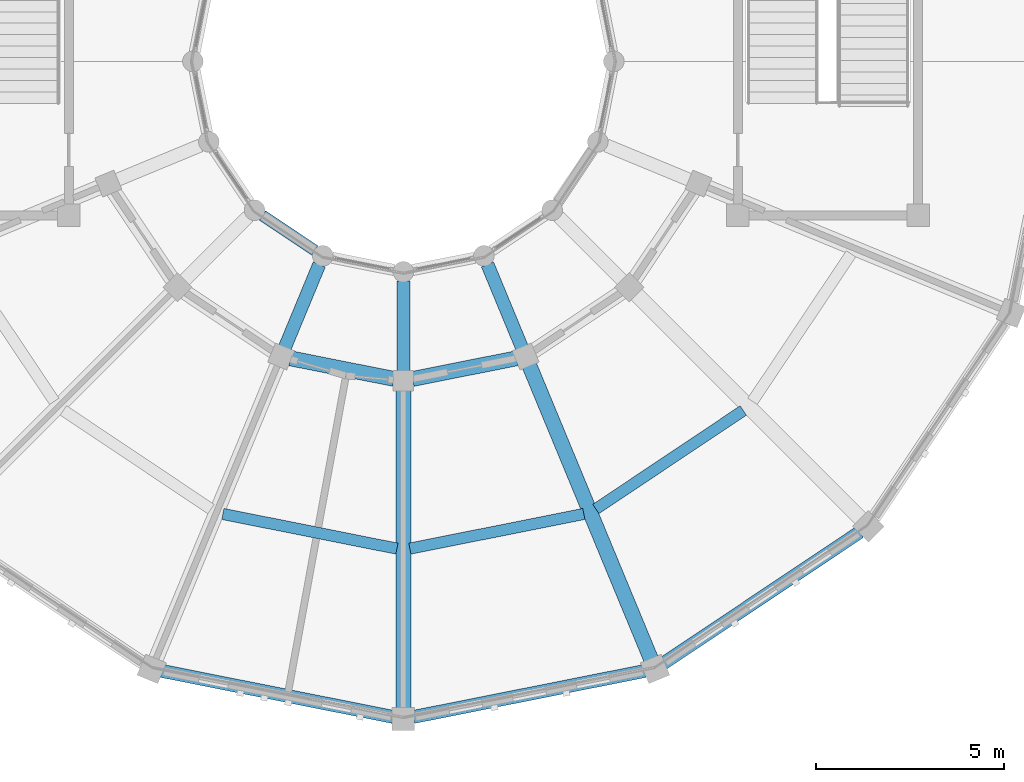
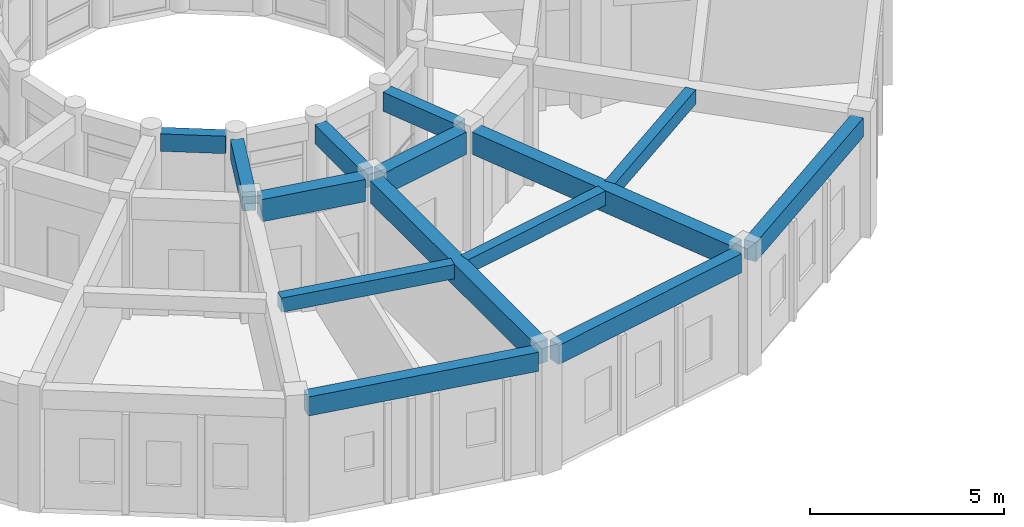
# One storey, part 9 of 112: 14 beams.
"""IFC4 building model written with IfcOpenShell, lengths in metres."""

from ifc_helpers import new_model, si_unit, direction, frame, origin, origin_2d, place, context, subcontext, project, spatial, rectangle, extrude, material, material_profile, profile_set, type_object, element, save


model = new_model("IFC4")

# Units and contexts
model_context = context("Model", 3, precision=1e-05, world=origin(), true_north=direction((0.0, 1.0)))
body_context = subcontext(model_context, "Body", "Model", "MODEL_VIEW")
ifc_project = project(units=[si_unit("LENGTHUNIT", "METRE"), si_unit("AREAUNIT", "SQUARE_METRE"), si_unit("VOLUMEUNIT", "CUBIC_METRE"), si_unit("PLANEANGLEUNIT", "RADIAN"), si_unit("MASSUNIT", "GRAM", prefix="KILO")], contexts=[model_context])

# Site, building, storey
site_placement = place(None, origin())
site = spatial("IfcSite", under=ifc_project, at=site_placement, CompositionType="ELEMENT")
building_placement = place(site_placement, origin())
building = spatial("IfcBuilding", under=site, at=building_placement, Name="Celadon Cloister-Ring School", CompositionType="ELEMENT")
storey_placement = place(building_placement, frame((0.0, 0.0, 8.5)))
storey = spatial("IfcBuildingStorey", under=building, at=storey_placement, Name="L02", CompositionType="ELEMENT", Elevation=8.5)

# Beams
ifc_material_1 = material(Name="Concrete C35/45", Category="concrete")
ifc_material_profile_1 = material_profile(ifc_material_1, rectangle(XDim=0.35009765625, YDim=0.60009765625, at=origin_2d()), Name="RC350X600")
ifc_profile_set_1 = profile_set([ifc_material_profile_1], Name="Concrete C35/45")
beam_type_1 = type_object("IfcBeamType", Name="BT-02", PredefinedType="BEAM", material=ifc_profile_set_1)
beam_1_placement = place(storey_placement, frame((17.04296875, 12.3779296875, 3.47998046875), z_axis=(0.382555476978, 0.923932522988, 0.0), x_axis=(-0.923932522988, 0.382555476978, 0.0)))
element("IfcBeam", 1, at=beam_1_placement, inside=storey, type_object=beam_type_1, Name="Beam 1013", PredefinedType="BEAM", context=body_context, shape_type="SweptSolid", body=[
    extrude(rectangle(XDim=0.35009765625, YDim=0.60009765625, at=origin_2d()), origin(), (0.0, 0.0, 1.0), 2.399658203125),
])
beam_2_placement = place(storey_placement, frame((20.199951171875, 11.75, 3.47998046875), z_axis=(0.0, 1.0, 0.0), x_axis=(-1.0, 0.0, 0.0)))
element("IfcBeam", 2, at=beam_2_placement, inside=storey, type_object=beam_type_1, Name="Beam 1015", PredefinedType="BEAM", context=body_context, shape_type="SweptSolid", body=[
    extrude(rectangle(XDim=0.35009765625, YDim=0.60009765625, at=origin_2d()), origin(), (0.0, 0.0, 1.0), 2.39990234375),
])
beam_3_placement = place(storey_placement, frame((23.35693359375, 12.3779296875, 3.47998046875), z_axis=(-0.382555476978, 0.923932522988, 0.0), x_axis=(-0.923932522988, -0.382555476978, 0.0)))
element("IfcBeam", 3, at=beam_3_placement, inside=storey, type_object=beam_type_1, Name="Beam 1017", PredefinedType="BEAM", context=body_context, shape_type="SweptSolid", body=[
    extrude(rectangle(XDim=0.35009765625, YDim=0.60009765625, at=origin_2d()), origin(), (0.0, 0.0, 1.0), 2.399658203125),
])
ifc_material_2 = material(Name="Concrete C35/45", Category="concrete")
ifc_material_profile_2 = material_profile(ifc_material_2, rectangle(XDim=0.39990234375, YDim=0.699951171875, at=origin_2d()), Name="RC400X700")
ifc_profile_set_2 = profile_set([ifc_material_profile_2], Name="Concrete C35/45")
beam_type_2 = type_object("IfcBeamType", Name="GT-03", PredefinedType="USERDEFINED", material=ifc_profile_set_2)
for number, where, z_axis, x_axis, name in (
    (4, (20.199951171875, 2.77490234375, 3.429931640625), (0.0, 1.0, 0.0), (-1.0, 0.0, 0.0), "Beam 1014"),
    (5, (26.7919921875, 4.0859375, 3.429931640625), (-0.382642680076, 0.923896411609, 0.0), (-0.923896411609, -0.382642680076, 0.0), "Beam 1016"),
):
    element("IfcBeam", number, at=place(storey_placement, frame(where, z_axis=z_axis, x_axis=x_axis)), inside=storey, type_object=beam_type_2, Name=name, ObjectType="GIRDER", PredefinedType="USERDEFINED", context=body_context, shape_type="SweptSolid", body=[
        extrude(rectangle(XDim=0.39990234375, YDim=0.699951171875, at=origin_2d()), origin(), (0.0, 0.0, 1.0), 8.47509765625),
    ])
beam_4_placement = place(storey_placement, frame((17.19189453125, 12.097900390625, 3.429931640625), z_axis=(0.98083979986, -0.194816033759, 0.0), x_axis=(0.194816033759, 0.98083979986, 0.0)))
element("IfcBeam", 6, at=beam_4_placement, inside=storey, type_object=beam_type_2, Name="Beam 1055", ObjectType="GIRDER", PredefinedType="USERDEFINED", context=body_context, shape_type="SweptSolid", body=[
    extrude(rectangle(XDim=0.39990234375, YDim=0.699951171875, at=origin_2d()), origin(), (0.0, 0.0, 1.0), 2.817138671875),
])
beam_5_placement = place(storey_placement, frame((20.445068359375, 11.549072265625, 3.429931640625), z_axis=(0.980836510336, 0.19483259479, 0.0), x_axis=(-0.19483259479, 0.980836510336, 0.0)))
element("IfcBeam", 7, at=beam_5_placement, inside=storey, type_object=beam_type_2, Name="Beam 1059", ObjectType="GIRDER", PredefinedType="USERDEFINED", context=body_context, shape_type="SweptSolid", body=[
    extrude(rectangle(XDim=0.39990234375, YDim=0.699951171875, at=origin_2d()), origin(), (0.0, 0.0, 1.0), 2.81689453125),
])
ifc_material_3 = material(Name="Concrete C35/45", Category="concrete")
ifc_material_profile_3 = material_profile(ifc_material_3, rectangle(XDim=0.300048828125, YDim=0.449951171875, at=origin_2d()), Name="RC300X450")
ifc_profile_set_3 = profile_set([ifc_material_profile_3], Name="Concrete C35/45")
beam_type_3 = type_object("IfcBeamType", Name="JT-01", PredefinedType="JOIST", material=ifc_profile_set_3)
beam_6_placement = place(storey_placement, frame((15.39697265625, 7.9560546875, 3.554931640625), z_axis=(0.980747359302, -0.195280867525, 0.0), x_axis=(0.195280867525, 0.980747359302, 0.0)))
element("IfcBeam", 8, at=beam_6_placement, inside=storey, type_object=beam_type_3, Name="Beam 1057", PredefinedType="JOIST", context=body_context, shape_type="SweptSolid", body=[
    extrude(rectangle(XDim=0.300048828125, YDim=0.449951171875, at=origin_2d()), origin(), (0.0, 0.0, 1.0), 4.721923828125),
])
beam_7_placement = place(storey_placement, frame((20.3720703125, 7.033935546875, 3.554931640625), z_axis=(0.980745387492, 0.195290770169, 0.0), x_axis=(-0.195290770169, 0.980745387492, 0.0)))
element("IfcBeam", 9, at=beam_7_placement, inside=storey, type_object=beam_type_3, Name="Beam 1061", PredefinedType="JOIST", context=body_context, shape_type="SweptSolid", body=[
    extrude(rectangle(XDim=0.300048828125, YDim=0.449951171875, at=origin_2d()), origin(), (0.0, 0.0, 1.0), 4.7216796875),
])
beam_8_placement = place(storey_placement, frame((25.321044921875, 8.0869140625, 3.554931640625), z_axis=(0.831333623542, 0.55577370068, 0.0), x_axis=(-0.55577370068, 0.831333623542, 0.0)))
element("IfcBeam", 10, at=beam_8_placement, inside=storey, type_object=beam_type_3, Name="Beam 1065", PredefinedType="JOIST", context=body_context, shape_type="SweptSolid", body=[
    extrude(rectangle(XDim=0.300048828125, YDim=0.449951171875, at=origin_2d()), origin(), (0.0, 0.0, 1.0), 4.721435546875),
])
ifc_material_4 = material(Name="Concrete C35/45", Category="concrete")
ifc_material_profile_4 = material_profile(ifc_material_4, rectangle(XDim=0.35009765625, YDim=0.60009765625, at=origin_2d()), Name="RC350X600")
ifc_profile_set_4 = profile_set([ifc_material_profile_4], Name="Concrete C35/45")
beam_type_4 = type_object("IfcBeamType", Name="SP-01", PredefinedType="SPANDREL", material=ifc_profile_set_4)
for number, where, z_axis, x_axis, name in (
    (11, (13.77294921875, 3.778076171875, 3.47998046875), (0.980802920261, -0.195001619501, 0.0), (0.195001619501, 0.980802920261, 0.0), "Beam 1054"),
    (12, (20.469970703125, 2.553955078125, 3.47998046875), (0.980802920261, 0.195001619501, 0.0), (-0.195001619501, 0.980802920261, 0.0), "Beam 1058"),
):
    element("IfcBeam", number, at=place(storey_placement, frame(where, z_axis=z_axis, x_axis=x_axis)), inside=storey, type_object=beam_type_4, Name=name, PredefinedType="SPANDREL", context=body_context, shape_type="SweptSolid", body=[
        extrude(rectangle(XDim=0.35009765625, YDim=0.60009765625, at=origin_2d()), origin(), (0.0, 0.0, 1.0), 6.277587890625),
    ])
beam_9_placement = place(storey_placement, frame((27.1259765625, 3.985107421875, 3.47998046875), z_axis=(0.831427473898, 0.555633292422, 0.0), x_axis=(-0.555633292422, 0.831427473898, 0.0)))
element("IfcBeam", 13, at=beam_9_placement, inside=storey, type_object=beam_type_4, Name="Beam 1062", PredefinedType="SPANDREL", context=body_context, shape_type="SweptSolid", body=[
    extrude(rectangle(XDim=0.35009765625, YDim=0.60009765625, at=origin_2d()), origin(), (0.0, 0.0, 1.0), 6.277099609375),
])
ifc_material_5 = material(Name="Concrete C35/45", Category="concrete")
ifc_material_profile_5 = material_profile(ifc_material_5, rectangle(XDim=0.300048828125, YDim=0.550048828125, at=origin_2d()), Name="RC300X550")
ifc_profile_set_5 = profile_set([ifc_material_profile_5], Name="Concrete C35/45")
beam_type_5 = type_object("IfcBeamType", Name="SP-02", PredefinedType="SPANDREL", material=ifc_profile_set_5)
beam_10_placement = place(storey_placement, frame((16.447998046875, 15.90087890625, 3.5048828125), z_axis=(0.831581859135, -0.555402207016, 0.0), x_axis=(0.555402207016, 0.831581859135, 0.0)))
element("IfcBeam", 14, at=beam_10_placement, inside=storey, type_object=beam_type_5, Name="Beam 1052", PredefinedType="SPANDREL", context=body_context, shape_type="SweptSolid", body=[
    extrude(rectangle(XDim=0.300048828125, YDim=0.550048828125, at=origin_2d()), origin(), (0.0, 0.0, 1.0), 1.684814453125),
])

save(model, "model.ifc")
